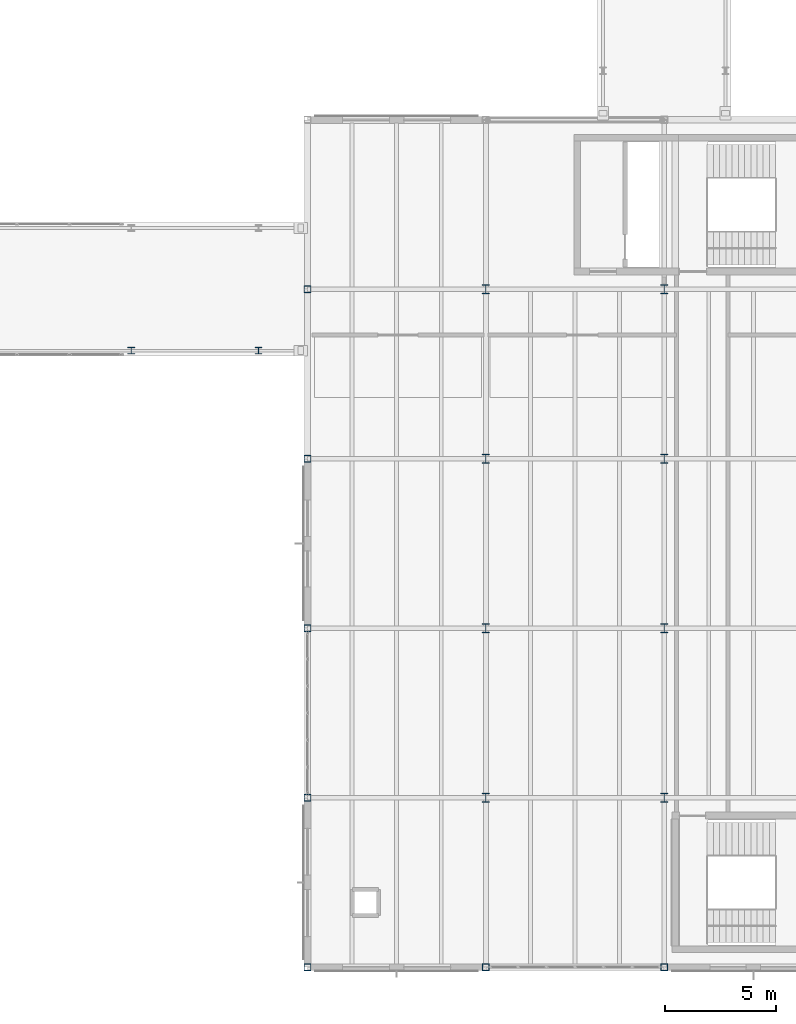
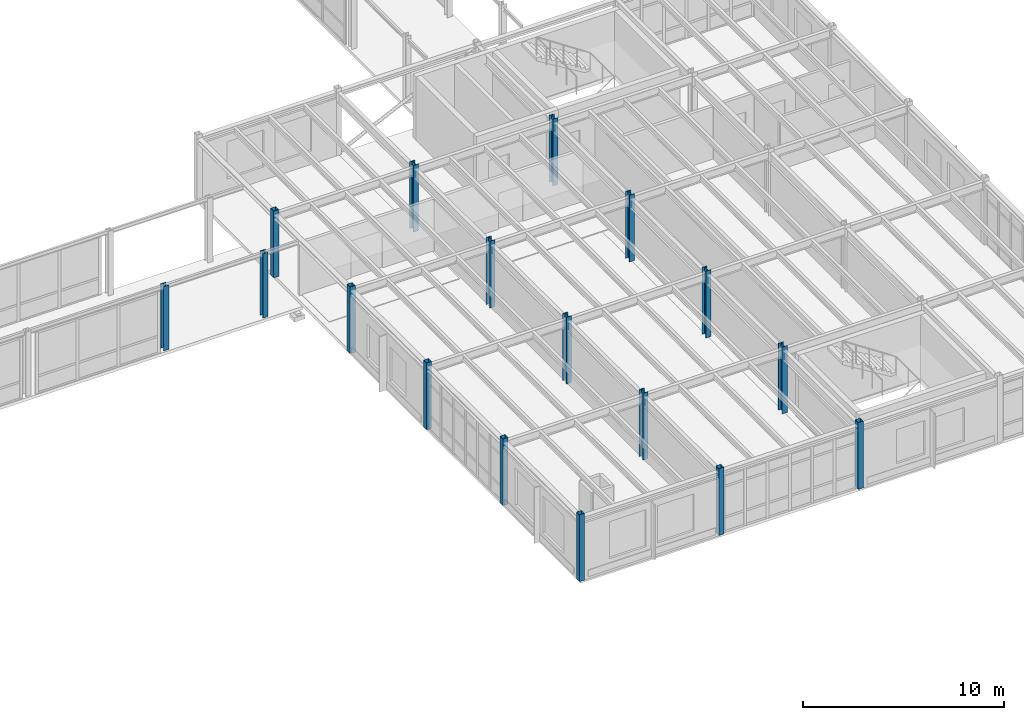
# One storey, part 17 of 165: 17 columns.
"""IFC4 building model written with IfcOpenShell, lengths in metres."""

from ifc_helpers import new_model, si_unit, direction, frame, origin, origin_2d, place, context, subcontext, project, spatial, hollow_rectangle, i_section, extrude, material, material_profile, profile_set, type_object, element, save


model = new_model("IFC4")

# Units and contexts
model_context = context("Model", 3, precision=1e-05, world=origin(), true_north=direction((0.0, 1.0)))
body_context = subcontext(model_context, "Body", "Model", "MODEL_VIEW")
ifc_project = project(units=[si_unit("LENGTHUNIT", "METRE"), si_unit("AREAUNIT", "SQUARE_METRE"), si_unit("VOLUMEUNIT", "CUBIC_METRE"), si_unit("PLANEANGLEUNIT", "RADIAN"), si_unit("MASSUNIT", "GRAM", prefix="KILO")], contexts=[model_context])

# Site, building, storey
site_placement = place(None, origin())
site = spatial("IfcSite", under=ifc_project, at=site_placement, CompositionType="ELEMENT")
building_placement = place(site_placement, origin())
building = spatial("IfcBuilding", under=site, at=building_placement, Name="Montecoro Central Library", CompositionType="ELEMENT")
storey_placement = place(building_placement, frame((0.0, 0.0, 5.10009765625)))
storey = spatial("IfcBuildingStorey", under=building, at=storey_placement, Name="L01", CompositionType="ELEMENT", Elevation=5.10009765625)

# Columns
ifc_material = material(Name="Steel S355", Category="steel")
ifc_material_profile_1 = material_profile(ifc_material, i_section(OverallWidth=0.300048828125, OverallDepth=0.300048828125, WebThickness=0.010986328125, FlangeThickness=0.01904296875, at=origin_2d()), Name="HEB 300")
ifc_profile_set_1 = profile_set([ifc_material_profile_1], Name="Steel S355")
column_type_1 = type_object("IfcColumnType", Name="COL-HEB300", PredefinedType="COLUMN", material=ifc_profile_set_1)
for number, where, z_axis, x_axis, name in (
    (1, (133.10009765625, 32.64990234375, 0.0), (0.0, 0.0, 1.0), (1.0, 0.0, 0.0), "BR-SE-L01-COL-1331-326"),
    (2, (138.800048828125, 32.64990234375, 0.0), (0.0, 0.0, 1.0), (1.0, 0.0, 0.0), "BR-SE-L01-COL-1388-326"),
):
    element("IfcColumn", number, at=place(storey_placement, frame(where, z_axis=z_axis, x_axis=x_axis)), inside=storey, type_object=column_type_1, Name=name, PredefinedType="COLUMN", context=body_context, shape_type="SweptSolid", body=[
        extrude(i_section(OverallWidth=0.300048828125, OverallDepth=0.300048828125, WebThickness=0.010986328125, FlangeThickness=0.01904296875, at=origin_2d()), origin(), (0.0, 0.0, 1.0), 3.907958984375),
    ])
ifc_material_profile_2 = material_profile(ifc_material, i_section(OverallWidth=0.300048828125, OverallDepth=0.39990234375, WebThickness=0.013427734375, FlangeThickness=0.02392578125, at=origin_2d()), Name="HEB 400")
ifc_profile_set_2 = profile_set([ifc_material_profile_2], Name="Steel S355")
column_type_2 = type_object("IfcColumnType", Name="COL-HEB400", PredefinedType="COLUMN", material=ifc_profile_set_2)
for number, where, z_axis, x_axis, name in (
    (3, (149.0, 12.60009765625, 0.0), (0.0, 0.0, 1.0), (1.0, 0.0, 0.0), "V6-L01-COL-19-B"),
    (4, (149.0, 20.199951171875, 0.0), (0.0, 0.0, 1.0), (1.0, 0.0, 0.0), "V6-L01-COL-19-C"),
    (5, (149.0, 27.800048828125, 0.0), (0.0, 0.0, 1.0), (1.0, 0.0, 0.0), "V6-L01-COL-19-D"),
    (6, (149.0, 35.39990234375, 0.0), (0.0, 0.0, 1.0), (1.0, 0.0, 0.0), "V6-L01-COL-19-E"),
    (7, (157.0, 12.60009765625, 0.0), (0.0, 0.0, 1.0), (1.0, 0.0, 0.0), "V6-L01-COL-20-B"),
    (8, (157.0, 20.199951171875, 0.0), (0.0, 0.0, 1.0), (1.0, 0.0, 0.0), "V6-L01-COL-20-C"),
    (9, (157.0, 27.800048828125, 0.0), (0.0, 0.0, 1.0), (1.0, 0.0, 0.0), "V6-L01-COL-20-D"),
    (10, (157.0, 35.39990234375, 0.0), (0.0, 0.0, 1.0), (1.0, 0.0, 0.0), "V6-L01-COL-20-E"),
):
    element("IfcColumn", number, at=place(storey_placement, frame(where, z_axis=z_axis, x_axis=x_axis)), inside=storey, type_object=column_type_2, Name=name, PredefinedType="COLUMN", context=body_context, shape_type="SweptSolid", body=[
        extrude(i_section(OverallWidth=0.300048828125, OverallDepth=0.39990234375, WebThickness=0.013427734375, FlangeThickness=0.02392578125, at=origin_2d()), origin(), (0.0, 0.0, 1.0), 4.054931640625),
    ])
ifc_material_profile_3 = material_profile(ifc_material, hollow_rectangle(XDim=0.300048828125, YDim=0.300048828125, WallThickness=0.012451171875, at=origin_2d()), Name="SHS 300x300x12.5")
ifc_profile_set_3 = profile_set([ifc_material_profile_3], Name="Steel S355")
column_type_3 = type_object("IfcColumnType", Name="COL-SHS300", PredefinedType="COLUMN", material=ifc_profile_set_3)
for number, where, z_axis, x_axis, name in (
    (11, (141.0, 5.0, 0.0), (0.0, 0.0, 1.0), (1.0, 0.0, 0.0), "V6-L01-COL-18-A"),
    (12, (141.0, 12.60009765625, 0.0), (0.0, 0.0, 1.0), (1.0, 0.0, 0.0), "V6-L01-COL-18-B"),
    (13, (141.0, 20.199951171875, 0.0), (0.0, 0.0, 1.0), (1.0, 0.0, 0.0), "V6-L01-COL-18-C"),
    (14, (141.0, 27.800048828125, 0.0), (0.0, 0.0, 1.0), (1.0, 0.0, 0.0), "V6-L01-COL-18-D"),
    (15, (141.0, 35.39990234375, 0.0), (0.0, 0.0, 1.0), (1.0, 0.0, 0.0), "V6-L01-COL-18-E"),
    (16, (149.0, 5.0, 0.0), (0.0, 0.0, 1.0), (1.0, 0.0, 0.0), "V6-L01-COL-19-A"),
    (17, (157.0, 5.0, 0.0), (0.0, 0.0, 1.0), (1.0, 0.0, 0.0), "V6-L01-COL-20-A"),
):
    element("IfcColumn", number, at=place(storey_placement, frame(where, z_axis=z_axis, x_axis=x_axis)), inside=storey, type_object=column_type_3, Name=name, PredefinedType="COLUMN", context=body_context, shape_type="SweptSolid", body=[
        extrude(hollow_rectangle(XDim=0.300048828125, YDim=0.300048828125, WallThickness=0.012451171875, at=origin_2d()), origin(), (0.0, 0.0, 1.0), 4.054931640625),
    ])

save(model, "model.ifc")
